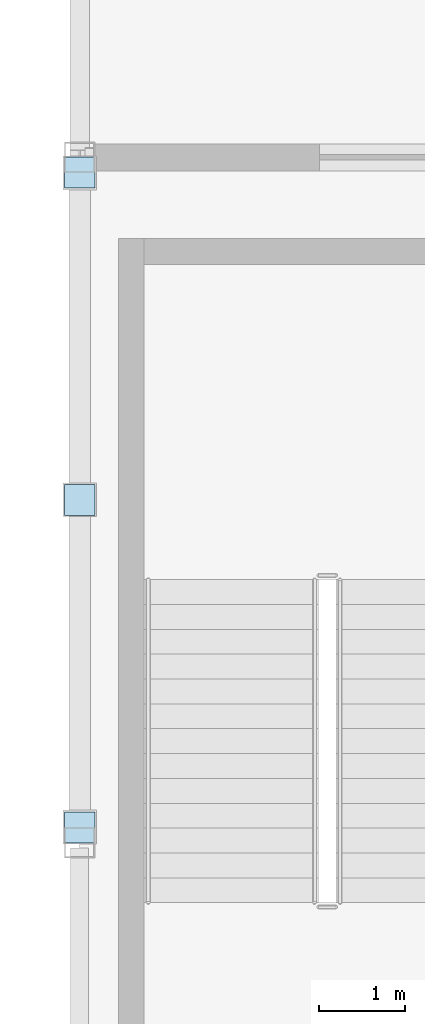
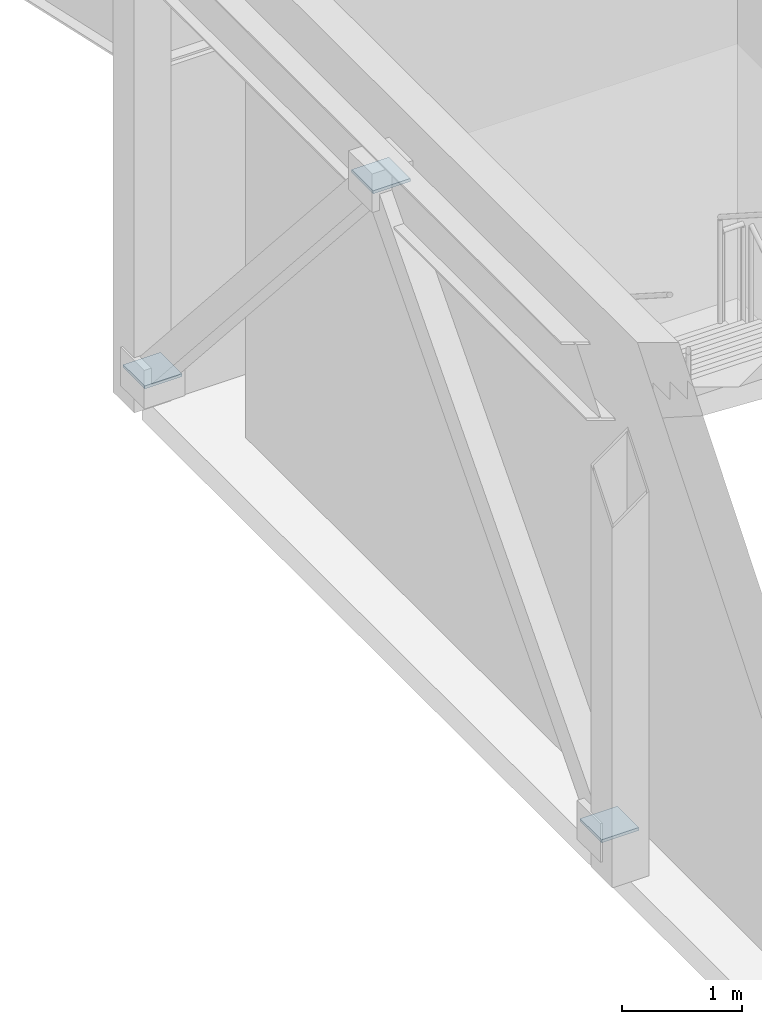
# One storey, part 54 of 77: 3 plates.
"""IFC4 building model written with IfcOpenShell, lengths in metres."""

import ifcopenshell
import ifcopenshell.guid

model = None  # the IFC model being written
_history = None  # IfcOwnerHistory: only IFC2X3 demands one
_inside = {}  # id of a spatial element -> (the spatial element, [elements in it])
_under = {}  # id of a project, library or spatial element -> (it, [spatial elements below it])
_declared = {}  # id of a project -> (the project, [libraries it declares])
_typed = {}  # id of a type object -> (the type object, [elements of that type])
_made_of = {}  # id of a material, layer set ... -> (it, [elements and type objects made of it])


def new_model(schema):
    """Start an empty IFC model of exactly this schema.

    Asked for "IFC4X3", IfcOpenShell would pick the latest addendum, in which some entities
    have other attributes; the version numbers below select the first issue.
    IFC2X3 requires an IfcOwnerHistory on every rooted entity: one is made here for all.
    """
    global model, _history
    if schema == "IFC4X3":
        model = ifcopenshell.file(schema_version=(4, 3, 0, 0))
    else:
        model = ifcopenshell.file(schema=schema)
    _inside.clear()
    _under.clear()
    _declared.clear()
    _typed.clear()
    _made_of.clear()
    _history = None
    if model.schema == "IFC2X3":
        org = make("IfcOrganization", Name="unknown")
        user = make(
            "IfcPersonAndOrganization",
            ThePerson=make("IfcPerson", FamilyName="unknown"),
            TheOrganization=org,
        )
        app = make(
            "IfcApplication",
            ApplicationDeveloper=org,
            Version="unknown",
            ApplicationFullName="unknown",
            ApplicationIdentifier="unknown",
        )
        _history = make(
            "IfcOwnerHistory",
            OwningUser=user,
            OwningApplication=app,
            ChangeAction="ADDED",
            CreationDate=0,
        )
    return model


def make(cls, **values):
    """One entity of the class cls with the attributes given. An attribute that is None is left unset."""
    return model.create_entity(
        cls, **{name: value for name, value in values.items() if value is not None}
    )


def rooted(cls, **values):
    """An entity with a GlobalId (a new one), such as an element, a storey or a relation."""
    return make(cls, GlobalId=ifcopenshell.guid.new(), OwnerHistory=_history, **values)


def si_unit(unit_type, name, prefix=None):
    """IfcSIUnit, for example si_unit("LENGTHUNIT", "METRE", prefix="MILLI")."""
    return make("IfcSIUnit", UnitType=unit_type, Prefix=prefix, Name=name)


def assignment(units):
    """IfcUnitAssignment: the units of a project."""
    return None if units is None else make("IfcUnitAssignment", Units=units)


def point(xyz):
    """IfcCartesianPoint."""
    return None if xyz is None else make("IfcCartesianPoint", Coordinates=xyz)


def direction(xyz):
    """IfcDirection."""
    return None if xyz is None else make("IfcDirection", DirectionRatios=xyz)


def frame(location, z_axis=None, x_axis=None):
    """IfcAxis2Placement3D, a coordinate frame: its origin and axes. An axis left out is left unset."""
    return make(
        "IfcAxis2Placement3D",
        Location=point(location),
        Axis=direction(z_axis),
        RefDirection=direction(x_axis),
    )


def frame_2d(location, x_axis=None):
    """IfcAxis2Placement2D, a coordinate frame in the plane: its origin and x axis."""
    return make(
        "IfcAxis2Placement2D", Location=point(location), RefDirection=direction(x_axis)
    )


def origin():
    """The frame at (0, 0, 0) with its axes left unset."""
    return frame((0.0, 0.0, 0.0))


def origin_2d():
    """The frame at (0, 0) in the plane with its x axis left unset."""
    return frame_2d((0.0, 0.0))


def place(relative_to, where):
    """IfcLocalPlacement: puts the frame where relative to a parent placement (None: the world)."""
    return make(
        "IfcLocalPlacement", PlacementRelTo=relative_to, RelativePlacement=where
    )


def context(
    kind, dimensions, precision=None, world=None, true_north=None, identifier=None
):
    """IfcGeometricRepresentationContext, for example the 3D "Model" context."""
    return make(
        "IfcGeometricRepresentationContext",
        ContextIdentifier=identifier,
        ContextType=kind,
        CoordinateSpaceDimension=dimensions,
        Precision=precision,
        WorldCoordinateSystem=world,
        TrueNorth=true_north,
    )


def subcontext(parent, identifier, kind, view, scale=None):
    """IfcGeometricRepresentationSubContext, for example "Body" below "Model"."""
    return make(
        "IfcGeometricRepresentationSubContext",
        ContextIdentifier=identifier,
        ContextType=kind,
        ParentContext=parent,
        TargetScale=scale,
        TargetView=view,
    )


def project(units=None, contexts=None):
    """IfcProject with its units and contexts."""
    return rooted(
        "IfcProject",
        Name="project",
        RepresentationContexts=contexts,
        UnitsInContext=assignment(units),
    )


def spatial(cls, under=None, at=None, **own):
    """A site, building, storey or space (cls), placed at a placement, below another one or the project."""
    s = rooted(cls, ObjectPlacement=at, **own)
    if under is not None:
        _under.setdefault(under.id(), (under, []))[1].append(s)
    return s


def profile(cls, at=None, kind="AREA", **sizes):
    """A parametric profile (cls). Its sizes go by their IFC names, for example OverallWidth=200.0."""
    return make(cls, ProfileType=kind, Position=at, **sizes)


def rectangle(**sizes):
    """IfcRectangleProfileDef."""
    return profile("IfcRectangleProfileDef", **sizes)


def extrude(swept, where, along, depth):
    """IfcExtrudedAreaSolid: the profile swept, set in the frame where, extruded along a direction by depth."""
    return make(
        "IfcExtrudedAreaSolid",
        SweptArea=swept,
        Position=where,
        ExtrudedDirection=direction(along),
        Depth=depth,
    )


def shape(context_of_items, identifier, shape_type, items):
    """IfcShapeRepresentation: the items that make up one representation, for example the "Body"."""
    return make(
        "IfcShapeRepresentation",
        ContextOfItems=context_of_items,
        RepresentationIdentifier=identifier,
        RepresentationType=shape_type,
        Items=items,
    )


def material(Name=None, Category=None):
    """IfcMaterial."""
    return make("IfcMaterial", Name=Name, Category=Category)


def layer(
    of_material, thickness, ventilated=None, Name=None, Category=None, Priority=None
):
    """IfcMaterialLayer: one layer of a wall or slab, of a material (None: an air gap)."""
    return make(
        "IfcMaterialLayer",
        Material=of_material,
        LayerThickness=thickness,
        IsVentilated=ventilated,
        Name=Name,
        Category=Category,
        Priority=Priority,
    )


def layer_set(layers, Name=None):
    """IfcMaterialLayerSet."""
    return make("IfcMaterialLayerSet", MaterialLayers=layers, LayerSetName=Name)


def made_of(thing, what):
    """Note that an element or type object is made of a material, layer set ...; save() writes the relation."""
    if what is not None:
        _made_of.setdefault(what.id(), (what, []))[1].append(thing)
    return thing


def type_object(cls, material=None, **own):
    """A type object (cls), such as IfcWallType, which elements share."""
    return made_of(rooted(cls, **own), material)


def element(
    cls,
    number,
    at=None,
    inside=None,
    cuts=None,
    type_object=None,
    material=None,
    context=None,
    identifier="Body",
    shape_type=None,
    held_by="IfcProductDefinitionShape",
    body=None,
    shapes=None,
    **own,
):
    """One element of the class cls, such as IfcWall. Its Tag is "e" and its number.

    at: its placement. inside: the storey or other place that contains it. cuts: it is an
    opening in that element (IfcRelVoidsElement). A single representation is given by context,
    identifier, shape_type and body (its items); several are given by shapes. held_by: the class
    of the entity that holds the representations. save() writes the other relations.
    """
    e = rooted(cls, Tag="e%d" % number, ObjectPlacement=at, **own)
    if body is not None:
        shapes = [shape(context, identifier, shape_type, body)]
    if shapes is not None:
        e.Representation = make(held_by, Representations=shapes)
    if inside is not None:
        _inside.setdefault(inside.id(), (inside, []))[1].append(e)
    if cuts is not None:
        rooted(
            "IfcRelVoidsElement", RelatingBuildingElement=cuts, RelatedOpeningElement=e
        )
    if type_object is not None:
        _typed.setdefault(type_object.id(), (type_object, []))[1].append(e)
    return made_of(e, material)


def aggregate(whole, parts):
    """IfcRelAggregates: a whole, such as a stair, and the parts it consists of."""
    return rooted("IfcRelAggregates", RelatingObject=whole, RelatedObjects=parts)


def save(model, path):
    """Write the relations noted so far, then the file.

    IfcRelAggregates (storeys below a building ...), IfcRelContainedInSpatialStructure (elements
    in a storey), IfcRelDefinesByType, IfcRelAssociatesMaterial and IfcRelDeclares: one each for
    every whole, place, type object, material and project.
    """
    for whole, parts in _under.values():
        aggregate(whole, parts)
    for where, things in _inside.values():
        rooted(
            "IfcRelContainedInSpatialStructure",
            RelatedElements=things,
            RelatingStructure=where,
        )
    for kind, things in _typed.values():
        rooted("IfcRelDefinesByType", RelatedObjects=things, RelatingType=kind)
    for what, things in _made_of.values():
        rooted("IfcRelAssociatesMaterial", RelatedObjects=things, RelatingMaterial=what)
    for by, libraries in _declared.values():
        rooted("IfcRelDeclares", RelatingContext=by, RelatedDefinitions=libraries)
    model.write(path)


model = new_model("IFC4")

# Units and contexts
model_context = context("Model", 3, precision=1e-05, world=origin(), true_north=direction((0.0, 1.0)))
body_context = subcontext(model_context, "Body", "Model", "MODEL_VIEW")
ifc_project = project(units=[si_unit("LENGTHUNIT", "METRE"), si_unit("AREAUNIT", "SQUARE_METRE"), si_unit("VOLUMEUNIT", "CUBIC_METRE"), si_unit("PLANEANGLEUNIT", "RADIAN"), si_unit("MASSUNIT", "GRAM", prefix="KILO")], contexts=[model_context])

# Site, building, storey
site_placement = place(None, origin())
site = spatial("IfcSite", under=ifc_project, at=site_placement, CompositionType="ELEMENT")
building_placement = place(site_placement, origin())
building = spatial("IfcBuilding", under=site, at=building_placement, Name="Drelvath Fold Interchange", CompositionType="ELEMENT")
storey_placement = place(building_placement, frame((0.0, 0.0, 6.0)))
storey = spatial("IfcBuildingStorey", under=building, at=storey_placement, Name="L01", CompositionType="ELEMENT", Elevation=6.0)

# Plates
ifc_material = material(Name="Steel ASTM A572 Grade 50", Category="steel")
ifc_layer = layer(ifc_material, 0.030029296875, Name="Steel ASTM A572 Grade 50")
ifc_layer_set = layer_set([ifc_layer], Name="Steel ASTM A572 Grade 50")
plate_type = type_object("IfcPlateType", Name="SN-04", PredefinedType="SHEET", material=ifc_layer_set)
for number, where, z_axis, x_axis, name in (
    (1, (4.0, 95.0, 4.666015625), (0.0, 0.0, 1.0), (1.0, 0.0, 0.0), "Braced frame chevron apex gusset SN-04"),
    (2, (4.0, 91.177978515625, 0.35498046875), (0.0, 0.0, 1.0), (1.0, 0.0, 0.0), "Braced frame column base gusset SN-04"),
    (3, (4.0, 98.822021484375, 0.35498046875), (0.0, 0.0, 1.0), (1.0, 0.0, 0.0), "Braced frame column base gusset SN-04"),
):
    element("IfcPlate", number, at=place(storey_placement, frame(where, z_axis=z_axis, x_axis=x_axis)), inside=storey, type_object=plate_type, Name=name, PredefinedType="SHEET", context=body_context, shape_type="SweptSolid", body=[
        extrude(rectangle(XDim=0.360107421875, YDim=0.360107421875, at=origin_2d()), origin(), (0.0, 0.0, 1.0), 0.030029296875),
    ])

save(model, "model.ifc")
